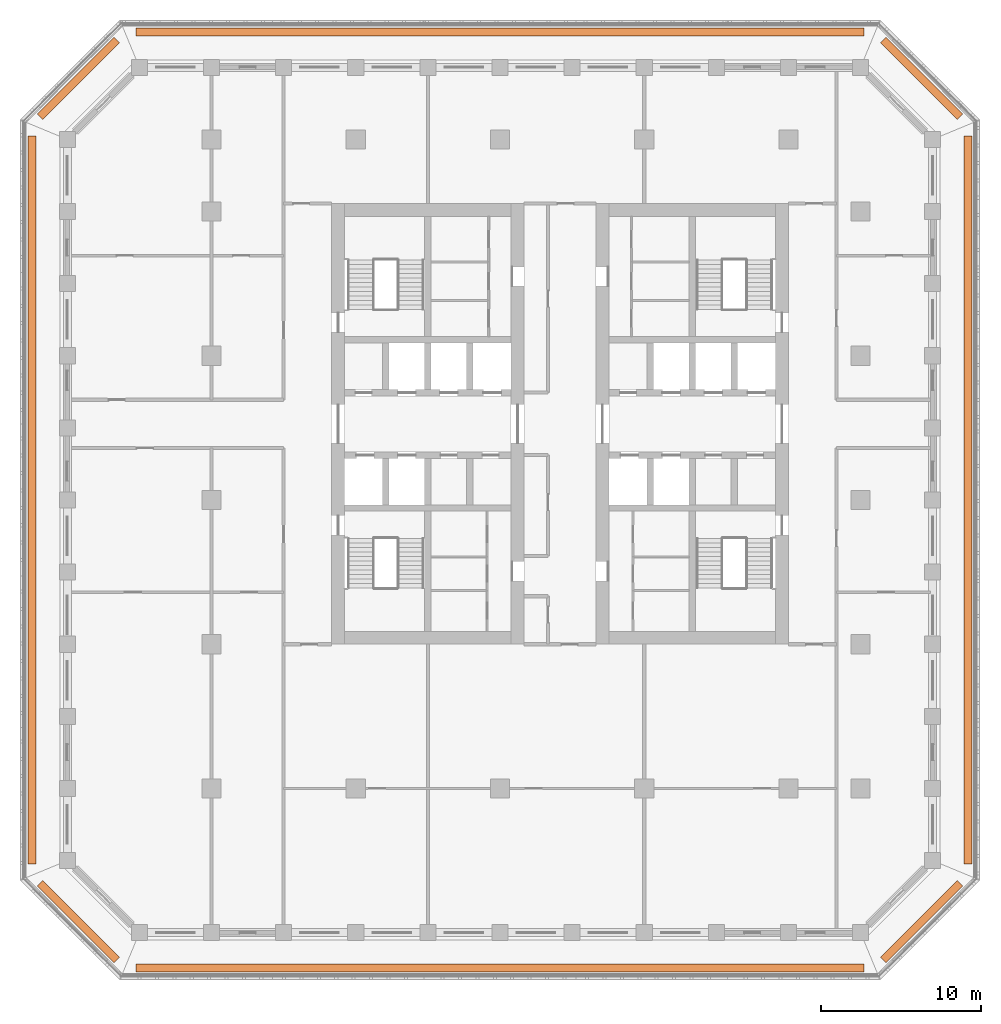
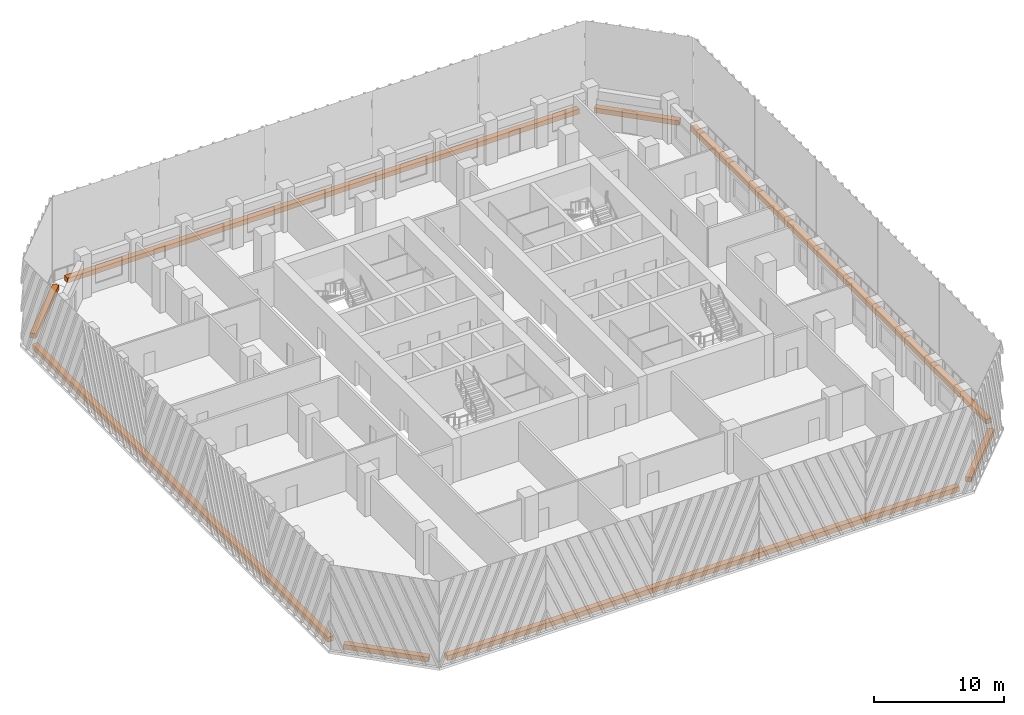
# One storey, part 16 of 16: 8 proxies.
"""IFC4 building model written with IfcOpenShell, lengths in metres."""

from ifc_helpers import new_model, si_unit, direction, frame, origin, origin_2d, place, context, subcontext, project, spatial, rectangle, extrude, material, type_object, element, save


model = new_model("IFC4")

# Units and contexts
model_context = context("Model", 3, precision=1e-05, world=origin(), true_north=direction((0.0, 1.0)))
body_context = subcontext(model_context, "Body", "Model", "MODEL_VIEW")
ifc_project = project(units=[si_unit("LENGTHUNIT", "METRE"), si_unit("AREAUNIT", "SQUARE_METRE"), si_unit("VOLUMEUNIT", "CUBIC_METRE"), si_unit("PLANEANGLEUNIT", "RADIAN"), si_unit("MASSUNIT", "GRAM", prefix="KILO")], contexts=[model_context])

# Site, building, storey
site_placement = place(None, origin())
site = spatial("IfcSite", under=ifc_project, at=site_placement, CompositionType="ELEMENT")
building_placement = place(site_placement, origin())
building = spatial("IfcBuilding", under=site, at=building_placement, Name="Corbel Stack Research Tower", CompositionType="ELEMENT")
storey_placement = place(building_placement, frame((0.0, 0.0, 173.199951171875)))
storey = spatial("IfcBuildingStorey", under=building, at=storey_placement, Name="L39", CompositionType="ELEMENT", Elevation=173.199951171875)

# Proxies
ifc_material = material(Name="Concrete C45/55", Category="concrete")
building_element_proxy_type = type_object("IfcBuildingElementProxyType", Name="Planter box", PredefinedType="USERDEFINED", material=ifc_material)
proxy_1_placement = place(storey_placement, frame((0.0, -29.199951171875, 0.0), z_axis=(0.0, 0.0, 1.0), x_axis=(1.0, 0.0, 0.0)))
element("IfcBuildingElementProxy", 1, at=proxy_1_placement, inside=storey, type_object=building_element_proxy_type, Name="Planter L39 S", ObjectType="PLANTER", PredefinedType="USERDEFINED", context=body_context, shape_type="SweptSolid", body=[
    extrude(rectangle(XDim=45.41064453125, YDim=0.5, at=origin_2d()), origin(), (0.0, 0.0, 1.0), 0.449951171875),
])
proxy_2_placement = place(storey_placement, frame((26.3056640625, -26.3056640625, 0.0), z_axis=(0.0, 0.0, 1.0), x_axis=(0.707106781187, 0.707106781187, 0.0)))
element("IfcBuildingElementProxy", 2, at=proxy_2_placement, inside=storey, type_object=building_element_proxy_type, Name="Planter L39 SE", ObjectType="PLANTER", PredefinedType="USERDEFINED", context=body_context, shape_type="SweptSolid", body=[
    extrude(rectangle(XDim=6.774658203125, YDim=0.5, at=origin_2d()), origin(), (0.0, 0.0, 1.0), 0.449951171875),
])
proxy_3_placement = place(storey_placement, frame((29.199951171875, 0.0, 0.0), z_axis=(0.0, 0.0, 1.0), x_axis=(0.0, 1.0, 0.0)))
element("IfcBuildingElementProxy", 3, at=proxy_3_placement, inside=storey, type_object=building_element_proxy_type, Name="Planter L39 E", ObjectType="PLANTER", PredefinedType="USERDEFINED", context=body_context, shape_type="SweptSolid", body=[
    extrude(rectangle(XDim=45.41064453125, YDim=0.5, at=origin_2d()), origin(), (0.0, 0.0, 1.0), 0.449951171875),
])
proxy_4_placement = place(storey_placement, frame((26.3056640625, 26.3056640625, 0.0), z_axis=(0.0, 0.0, 1.0), x_axis=(-0.707106781187, 0.707106781187, 0.0)))
element("IfcBuildingElementProxy", 4, at=proxy_4_placement, inside=storey, type_object=building_element_proxy_type, Name="Planter L39 NE", ObjectType="PLANTER", PredefinedType="USERDEFINED", context=body_context, shape_type="SweptSolid", body=[
    extrude(rectangle(XDim=6.774658203125, YDim=0.5, at=origin_2d()), origin(), (0.0, 0.0, 1.0), 0.449951171875),
])
proxy_5_placement = place(storey_placement, frame((0.0, 29.199951171875, 0.0), z_axis=(0.0, 0.0, 1.0), x_axis=(-1.0, 0.0, 0.0)))
element("IfcBuildingElementProxy", 5, at=proxy_5_placement, inside=storey, type_object=building_element_proxy_type, Name="Planter L39 N", ObjectType="PLANTER", PredefinedType="USERDEFINED", context=body_context, shape_type="SweptSolid", body=[
    extrude(rectangle(XDim=45.41064453125, YDim=0.5, at=origin_2d()), origin(), (0.0, 0.0, 1.0), 0.449951171875),
])
proxy_6_placement = place(storey_placement, frame((-26.3056640625, 26.3056640625, 0.0), z_axis=(0.0, 0.0, 1.0), x_axis=(-0.707106781187, -0.707106781187, 0.0)))
element("IfcBuildingElementProxy", 6, at=proxy_6_placement, inside=storey, type_object=building_element_proxy_type, Name="Planter L39 NW", ObjectType="PLANTER", PredefinedType="USERDEFINED", context=body_context, shape_type="SweptSolid", body=[
    extrude(rectangle(XDim=6.774658203125, YDim=0.5, at=origin_2d()), origin(), (0.0, 0.0, 1.0), 0.449951171875),
])
proxy_7_placement = place(storey_placement, frame((-29.199951171875, 0.0, 0.0), z_axis=(0.0, 0.0, 1.0), x_axis=(0.0, -1.0, 0.0)))
element("IfcBuildingElementProxy", 7, at=proxy_7_placement, inside=storey, type_object=building_element_proxy_type, Name="Planter L39 W", ObjectType="PLANTER", PredefinedType="USERDEFINED", context=body_context, shape_type="SweptSolid", body=[
    extrude(rectangle(XDim=45.41064453125, YDim=0.5, at=origin_2d()), origin(), (0.0, 0.0, 1.0), 0.449951171875),
])
proxy_8_placement = place(storey_placement, frame((-26.3056640625, -26.3056640625, 0.0), z_axis=(0.0, 0.0, 1.0), x_axis=(0.707106781187, -0.707106781187, 0.0)))
element("IfcBuildingElementProxy", 8, at=proxy_8_placement, inside=storey, type_object=building_element_proxy_type, Name="Planter L39 SW", ObjectType="PLANTER", PredefinedType="USERDEFINED", context=body_context, shape_type="SweptSolid", body=[
    extrude(rectangle(XDim=6.774658203125, YDim=0.5, at=origin_2d()), origin(), (0.0, 0.0, 1.0), 0.449951171875),
])

save(model, "model.ifc")
